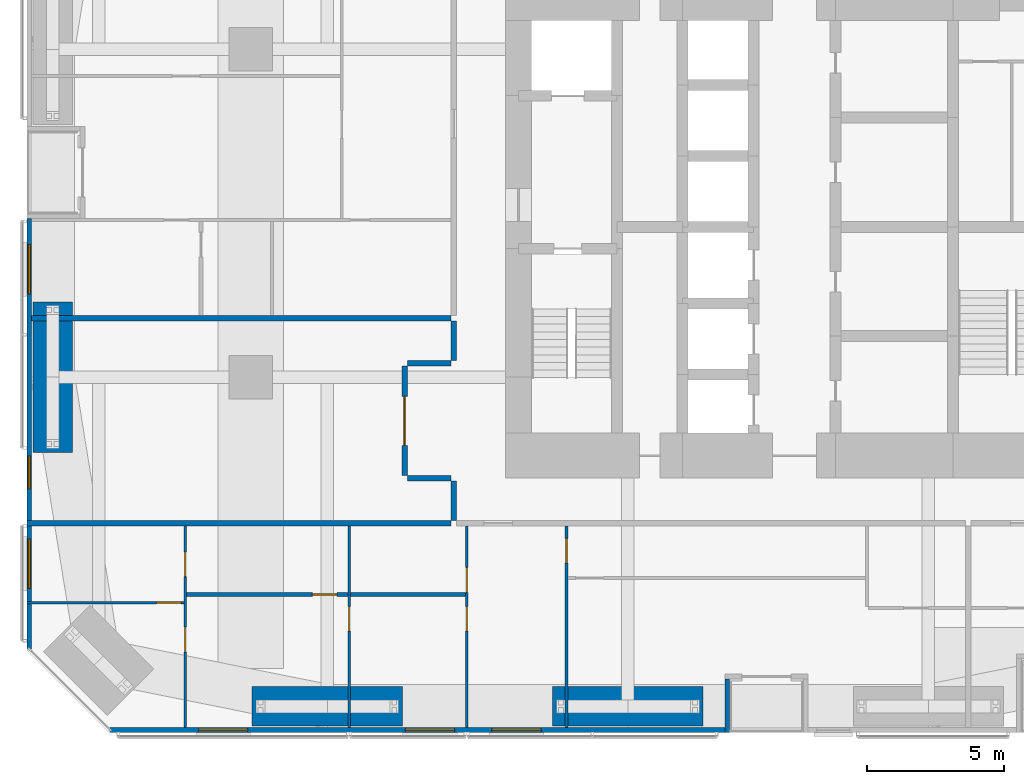
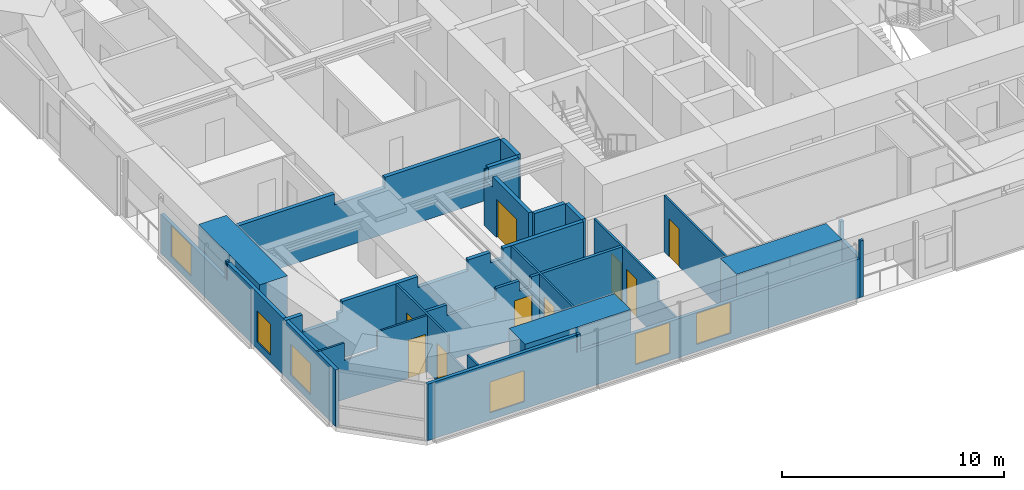
# One storey, part 17 of 24: 20 walls, 9 doors, 6 windows, 15 openings.
"""IFC4 building model written with IfcOpenShell, lengths in metres."""

from ifc_helpers import new_model, si_unit, direction, frame, frame_2d, origin, place, context, subcontext, project, spatial, polyline, rectangle, outline, extrude, material, layer, layer_set, constituent, constituent_set, type_object, element, fill, save


model = new_model("IFC4")

# Units and contexts
model_context = context("Model", 3, precision=1e-05, world=origin(), true_north=direction((0.0, 1.0)))
body_context = subcontext(model_context, "Body", "Model", "MODEL_VIEW")
ifc_project = project(units=[si_unit("LENGTHUNIT", "METRE"), si_unit("AREAUNIT", "SQUARE_METRE"), si_unit("VOLUMEUNIT", "CUBIC_METRE"), si_unit("PLANEANGLEUNIT", "RADIAN"), si_unit("MASSUNIT", "GRAM", prefix="KILO")], contexts=[model_context])

# Site, building, storey
site_placement = place(None, origin())
site = spatial("IfcSite", under=ifc_project, at=site_placement, CompositionType="ELEMENT")
building_placement = place(site_placement, origin())
building = spatial("IfcBuilding", under=site, at=building_placement, Name="Jalousie Tower", CompositionType="ELEMENT")
storey_placement = place(building_placement, frame((0.0, 0.0, 51.14990234375)))
storey = spatial("IfcBuildingStorey", under=building, at=storey_placement, Name="L13", CompositionType="ELEMENT", Elevation=51.14990234375)

# Wall, opening, door
ifc_material_1 = material(Name="Concrete block ASTM C90", Category="concrete")
ifc_constituent_1 = constituent(ifc_material_1, Name="Body")
ifc_material_2 = material(Name="Render")
ifc_constituent_2 = constituent(ifc_material_2, Name="Finish")
ifc_constituent_set_1 = constituent_set(constituents=[ifc_constituent_1, ifc_constituent_2])
wall_type_1 = type_object("IfcWallType", Name="BATHROOM WALL 150", PredefinedType="PLUMBINGWALL", material=ifc_constituent_set_1)
wall_1_placement = place(storey_placement, frame((7.85009765625, 5.050048828125, 0.0), z_axis=(0.0, 0.0, 1.0), x_axis=(1.0, 0.0, 0.0)))
wall_1 = element("IfcWall", 1, at=wall_1_placement, inside=storey, type_object=wall_type_1, Name="Bathroom Wall 150 L13", PredefinedType="PLUMBINGWALL", context=body_context, shape_type="SweptSolid", body=[
    extrude(outline(polyline([(0.0, 0.0), (5.89990234375, 0.0), (5.89990234375, 3.110107421875), (5.46240234375, 3.110107421875), (5.46240234375, 2.541015625), (4.837646484375, 2.541015625), (4.837646484375, 3.110107421875), (3.635009765625, 3.110107421875), (3.635009765625, 2.510009765625), (1.06494140625, 2.510009765625), (1.06494140625, 3.110107421875), (0.0, 3.110107421875), (0.0, 0.0)])), frame((0.0, 0.074951171875, 0.0), z_axis=(0.0, -1.0, 0.0), x_axis=(1.0, 0.0, 0.0)), (0.0, 0.0, 1.0), 0.14990234375),
])
opening_1_placement = place(wall_1_placement, frame((4.60009765625, 0.0, 0.0)))
opening_1 = element("IfcOpeningElement", 2, at=opening_1_placement, cuts=wall_1, Name="Opening D3", PredefinedType="OPENING", context=body_context, shape_type="SweptSolid", body=[
    extrude(rectangle(XDim=0.89990234375, YDim=2.10009765625, at=frame_2d((0.449951171875, 1.050048828125))), frame((0.0, 0.0849609375, 0.0), z_axis=(0.0, -1.0, 0.0), x_axis=(1.0, 0.0, 0.0)), (0.0, 0.0, 1.0), 0.169921875),
])
ifc_material_3 = material(Name="Timber door", Category="wood")
door_type_1 = type_object("IfcDoorType", Name="BATHROOM DOOR 900", OperationType="SINGLE_SWING_LEFT", PredefinedType="DOOR", material=ifc_material_3)
door_1_placement = place(opening_1_placement, origin())
door_1 = element("IfcDoor", 3, at=door_1_placement, inside=storey, type_object=door_type_1, Name="Apartment 1301 bedroom 2 bathroom door", OperationType="SINGLE_SWING_RIGHT", OverallHeight=2.10009765625, OverallWidth=0.89990234375, PredefinedType="DOOR", context=body_context, shape_type="SweptSolid", body=[
    extrude(rectangle(XDim=0.89990234375, YDim=2.10009765625, at=frame_2d((0.449951171875, 1.050048828125))), frame((0.0, 0.02490234375, 0.0), z_axis=(0.0, -1.0, 0.0), x_axis=(1.0, 0.0, 0.0)), (0.0, 0.0, 1.0), 0.050048828125),
])
fill(opening_1, door_1)

# Walls
wall_2_placement = place(storey_placement, frame((13.85009765625, 5.050048828125, 0.0), z_axis=(0.0, 0.0, 1.0), x_axis=(1.0, 0.0, 0.0)))
element("IfcWall", 4, at=wall_2_placement, inside=storey, type_object=wall_type_1, Name="Bathroom Wall 150 L13", PredefinedType="PLUMBINGWALL", context=body_context, shape_type="SweptSolid", body=[
    extrude(rectangle(XDim=4.199951171875, YDim=0.14990234375, at=frame_2d((2.10009765625, 0.0))), origin(), (0.0, 0.0, 1.0), 3.110107421875),
])
ifc_material_4 = material(Name="Concrete block ASTM C90", Category="concrete")
ifc_constituent_3 = constituent(ifc_material_4, Name="Body")
ifc_material_5 = material(Name="Render")
ifc_constituent_4 = constituent(ifc_material_5, Name="Finish")
ifc_constituent_set_2 = constituent_set(constituents=[ifc_constituent_3, ifc_constituent_4])
wall_type_2 = type_object("IfcWallType", Name="CORRIDOR WALL 200", PredefinedType="PARTITIONING", material=ifc_constituent_set_2)
for number, where, z_axis, x_axis, name in (
    (5, (17.625, 7.75, 0.0), (0.0, 0.0, 1.0), (0.0, 1.0, 0.0), "Corridor Wall 200 L13"),
    (6, (17.625, 13.60009765625, 0.0), (0.0, 0.0, 1.0), (0.0, 1.0, 0.0), "Corridor Wall 200 L13"),
):
    element("IfcWall", number, at=place(storey_placement, frame(where, z_axis=z_axis, x_axis=x_axis)), inside=storey, type_object=wall_type_2, Name=name, PredefinedType="PARTITIONING", context=body_context, shape_type="SweptSolid", body=[
        extrude(rectangle(XDim=1.449951171875, YDim=0.199951171875, at=frame_2d((0.72509765625, 0.0))), origin(), (0.0, 0.0, 1.0), 3.110107421875),
    ])

# Wall, opening, door
wall_3_placement = place(storey_placement, frame((15.824951171875, 9.39990234375, 0.0), z_axis=(0.0, 0.0, 1.0), x_axis=(0.0, 1.0, 0.0)))
wall_3 = element("IfcWall", 7, at=wall_3_placement, inside=storey, type_object=wall_type_2, Name="Corridor Wall 200 L13", PredefinedType="PARTITIONING", context=body_context, shape_type="SweptSolid", body=[
    extrude(outline(polyline([(0.0, 0.0), (4.0, 0.0), (4.0, 3.110107421875), (3.937255859375, 3.110107421875), (3.937255859375, 2.541015625), (3.2626953125, 2.541015625), (3.2626953125, 3.110107421875), (0.0, 3.110107421875), (0.0, 0.0)])), frame((0.0, 0.10009765625, 0.0), z_axis=(0.0, -1.0, 0.0), x_axis=(1.0, 0.0, 0.0)), (0.0, 0.0, 1.0), 0.199951171875),
])
opening_2_placement = place(wall_3_placement, frame((1.10009765625, 0.0, 0.0)))
opening_2 = element("IfcOpeningElement", 8, at=opening_2_placement, cuts=wall_3, Name="Opening D22", PredefinedType="OPENING", context=body_context, shape_type="SweptSolid", body=[
    extrude(rectangle(XDim=1.800048828125, YDim=2.10009765625, at=frame_2d((0.89990234375, 1.050048828125))), frame((0.0, 0.10986328125, 0.0), z_axis=(0.0, -1.0, 0.0), x_axis=(1.0, 0.0, 0.0)), (0.0, 0.0, 1.0), 0.219970703125),
])
ifc_material_6 = material(Name="Timber fire door", Category="wood")
door_type_2 = type_object("IfcDoorType", Name="CORRIDOR DOUBLE DOOR 1800", OperationType="DOUBLE_DOOR_SINGLE_SWING", PredefinedType="DOOR", material=ifc_material_6)
door_2_placement = place(opening_2_placement, origin())
door_2 = element("IfcDoor", 9, at=door_2_placement, inside=storey, type_object=door_type_2, Name="Residents' library door", OperationType="DOUBLE_DOOR_SINGLE_SWING", OverallHeight=2.10009765625, OverallWidth=1.800048828125, PredefinedType="DOOR", context=body_context, shape_type="SweptSolid", body=[
    extrude(rectangle(XDim=1.800048828125, YDim=2.10009765625, at=frame_2d((0.89990234375, 1.050048828125))), frame((0.0, 0.02490234375, 0.0), z_axis=(0.0, -1.0, 0.0), x_axis=(1.0, 0.0, 0.0)), (0.0, 0.0, 1.0), 0.050048828125),
])
fill(opening_2, door_2)

# Walls
for number, where, z_axis, x_axis, name in (
    (10, (17.52490234375, 9.300048828125, 0.0), (0.0, 0.0, 1.0), (-1.0, 0.0, 0.0), "Corridor Wall 200 L13"),
    (11, (17.52490234375, 13.5, 0.0), (0.0, 0.0, 1.0), (-1.0, 0.0, 0.0), "Corridor Wall 200 L13"),
):
    element("IfcWall", number, at=place(storey_placement, frame(where, z_axis=z_axis, x_axis=x_axis)), inside=storey, type_object=wall_type_2, Name=name, PredefinedType="PARTITIONING", context=body_context, shape_type="SweptSolid", body=[
        extrude(rectangle(XDim=1.599853515625, YDim=0.199951171875, at=frame_2d((0.7998046875, 0.0))), origin(), (0.0, 0.0, 1.0), 3.110107421875),
    ])

# Wall, openings, windows
ifc_material_7 = material(Name="Concrete f'c 40 MPa", Category="concrete")
ifc_constituent_5 = constituent(ifc_material_7, Name="Body")
ifc_material_8 = material(Name="Render, pastel coral")
ifc_constituent_6 = constituent(ifc_material_8, Name="Finish")
ifc_constituent_set_3 = constituent_set(constituents=[ifc_constituent_5, ifc_constituent_6])
wall_type_3 = type_object("IfcWallType", Name="EXTERNAL WALL 175 CORAL RENDER", PredefinedType="SOLIDWALL", material=ifc_constituent_set_3)
wall_4_placement = place(storey_placement, frame((5.05126953125, 0.08740234375, 0.0), z_axis=(0.0, 0.0, 1.0), x_axis=(1.0, 0.0, 0.0)))
wall_4 = element("IfcWall", 12, at=wall_4_placement, inside=storey, type_object=wall_type_3, Name="External Wall 175 Coral Render L13", PredefinedType="SOLIDWALL", context=body_context, shape_type="SweptSolid", body=[
    extrude(outline(polyline([(0.0, 0.0), (22.498779296875, 0.0), (22.498779296875, 2.150146484375), (7.94873046875, 2.150146484375), (7.94873046875, 3.110107421875), (7.79296875, 3.110107421875), (7.79296875, 2.150146484375), (7.74462890625, 2.150146484375), (7.74462890625, 3.110107421875), (0.0, 3.110107421875), (0.0, 0.0)])), frame((0.0, 0.08740234375, 0.0), z_axis=(0.0, -1.0, 0.0), x_axis=(1.0, 0.0, 0.0)), (0.0, 0.0, 1.0), 0.175048828125),
])
opening_3_placement = place(wall_4_placement, frame((3.233642578125, 0.0, 0.39990234375)))
opening_3 = element("IfcOpeningElement", 13, at=opening_3_placement, cuts=wall_4, Name="Opening W-BED170", PredefinedType="OPENING", context=body_context, shape_type="SweptSolid", body=[
    extrude(rectangle(XDim=1.800048828125, YDim=1.699951171875, at=frame_2d((0.89990234375, 0.85009765625))), frame((0.0, 0.097412109375, 0.0), z_axis=(0.0, -1.0, 0.0), x_axis=(1.0, 0.0, 0.0)), (0.0, 0.0, 1.0), 0.195068359375),
])
opening_4_placement = place(wall_4_placement, frame((10.80615234375, 0.0, 0.39990234375)))
opening_4 = element("IfcOpeningElement", 14, at=opening_4_placement, cuts=wall_4, Name="Opening W-BED170", PredefinedType="OPENING", context=body_context, shape_type="SweptSolid", body=[
    extrude(rectangle(XDim=1.800048828125, YDim=1.699951171875, at=frame_2d((0.89990234375, 0.85009765625))), frame((0.0, 0.097412109375, 0.0), z_axis=(0.0, -1.0, 0.0), x_axis=(1.0, 0.0, 0.0)), (0.0, 0.0, 1.0), 0.195068359375),
])
opening_5_placement = place(wall_4_placement, frame((13.9736328125, 0.0, 0.39990234375)))
opening_5 = element("IfcOpeningElement", 15, at=opening_5_placement, cuts=wall_4, Name="Opening W-BED170", PredefinedType="OPENING", context=body_context, shape_type="SweptSolid", body=[
    extrude(rectangle(XDim=1.800048828125, YDim=1.699951171875, at=frame_2d((0.89990234375, 0.85009765625))), frame((0.0, 0.097412109375, 0.0), z_axis=(0.0, -1.0, 0.0), x_axis=(1.0, 0.0, 0.0)), (0.0, 0.0, 1.0), 0.195068359375),
])
ifc_material_9 = material(Name="Aluminium frame, impact-rated glazing", Category="aluminium")
window_type_1 = type_object("IfcWindowType", Name="WINDOW BED 1800x1700", PartitioningType="SINGLE_PANEL", PredefinedType="WINDOW", material=ifc_material_9)
window_1_placement = place(opening_3_placement, origin())
window_1 = element("IfcWindow", 16, at=window_1_placement, inside=storey, type_object=window_type_1, Name="Apartment 1301 bedroom 2 window", OverallHeight=1.699951171875, OverallWidth=1.800048828125, PartitioningType="SINGLE_PANEL", PredefinedType="WINDOW", context=body_context, shape_type="SweptSolid", body=[
    extrude(rectangle(XDim=1.800048828125, YDim=1.699951171875, at=frame_2d((0.89990234375, 0.85009765625))), frame((0.0, 0.030029296875, 0.0), z_axis=(0.0, -1.0, 0.0), x_axis=(1.0, 0.0, 0.0)), (0.0, 0.0, 1.0), 0.06005859375),
])
fill(opening_3, window_1)
window_2_placement = place(opening_4_placement, origin())
window_2 = element("IfcWindow", 17, at=window_2_placement, inside=storey, type_object=window_type_1, Name="Apartment 1301 bedroom 3 window", OverallHeight=1.699951171875, OverallWidth=1.800048828125, PartitioningType="SINGLE_PANEL", PredefinedType="WINDOW", context=body_context, shape_type="SweptSolid", body=[
    extrude(rectangle(XDim=1.800048828125, YDim=1.699951171875, at=frame_2d((0.89990234375, 0.85009765625))), frame((0.0, 0.030029296875, 0.0), z_axis=(0.0, -1.0, 0.0), x_axis=(1.0, 0.0, 0.0)), (0.0, 0.0, 1.0), 0.06005859375),
])
fill(opening_4, window_2)
window_3_placement = place(opening_5_placement, origin())
window_3 = element("IfcWindow", 18, at=window_3_placement, inside=storey, type_object=window_type_1, Name="Apartment 1301 study window", OverallHeight=1.699951171875, OverallWidth=1.800048828125, PartitioningType="SINGLE_PANEL", PredefinedType="WINDOW", context=body_context, shape_type="SweptSolid", body=[
    extrude(rectangle(XDim=1.800048828125, YDim=1.699951171875, at=frame_2d((0.89990234375, 0.85009765625))), frame((0.0, 0.030029296875, 0.0), z_axis=(0.0, -1.0, 0.0), x_axis=(1.0, 0.0, 0.0)), (0.0, 0.0, 1.0), 0.06005859375),
])
fill(opening_5, window_3)

# Wall
wall_5_placement = place(storey_placement, frame((27.637451171875, 0.0, 0.0), z_axis=(0.0, 0.0, 1.0), x_axis=(0.0, 1.0, 0.0)))
element("IfcWall", 19, at=wall_5_placement, inside=storey, type_object=wall_type_3, Name="External Wall 175 Coral Render L13", PredefinedType="SOLIDWALL", context=body_context, shape_type="SweptSolid", body=[
    extrude(outline(polyline([(0.0, 0.0), (1.949951171875, 0.0), (1.949951171875, 3.110107421875), (1.75, 3.110107421875), (1.75, 2.150146484375), (0.14990234375, 2.150146484375), (0.14990234375, 3.110107421875), (0.0, 3.110107421875), (0.0, 0.0)])), frame((0.0, 0.08740234375, 0.0), z_axis=(0.0, -1.0, 0.0), x_axis=(1.0, 0.0, 0.0)), (0.0, 0.0, 1.0), 0.175048828125),
])

# Wall, openings, windows
wall_6_placement = place(storey_placement, frame((2.08740234375, 18.800048828125, 0.0), z_axis=(0.0, 0.0, 1.0), x_axis=(0.0, -1.0, 0.0)))
wall_6 = element("IfcWall", 20, at=wall_6_placement, inside=storey, type_object=wall_type_3, Name="External Wall 175 Coral Render L13", PredefinedType="SOLIDWALL", context=body_context, shape_type="SweptSolid", body=[
    extrude(outline(polyline([(0.0, 0.0), (15.748779296875, 0.0), (15.748779296875, 3.110107421875), (6.0185546875, 3.110107421875), (6.0185546875, 2.150146484375), (5.92578125, 2.150146484375), (5.92578125, 3.110107421875), (5.800048828125, 3.110107421875), (5.800048828125, 2.150146484375), (0.0, 2.150146484375), (0.0, 0.0)])), frame((0.0, 0.08740234375, 0.0), z_axis=(0.0, -1.0, 0.0), x_axis=(1.0, 0.0, 0.0)), (0.0, 0.0, 1.0), 0.175048828125),
])
opening_6_placement = place(wall_6_placement, frame((0.949951171875, 0.0, 0.39990234375)))
opening_6 = element("IfcOpeningElement", 21, at=opening_6_placement, cuts=wall_6, Name="Opening W-BED170", PredefinedType="OPENING", context=body_context, shape_type="SweptSolid", body=[
    extrude(rectangle(XDim=1.800048828125, YDim=1.699951171875, at=frame_2d((0.89990234375, 0.85009765625))), frame((0.0, 0.097412109375, 0.0), z_axis=(0.0, -1.0, 0.0), x_axis=(1.0, 0.0, 0.0)), (0.0, 0.0, 1.0), 0.195068359375),
])
opening_7_placement = place(wall_6_placement, frame((8.68994140625, 0.0, 0.39990234375)))
opening_7 = element("IfcOpeningElement", 22, at=opening_7_placement, cuts=wall_6, Name="Opening W-COR170", PredefinedType="OPENING", context=body_context, shape_type="SweptSolid", body=[
    extrude(rectangle(XDim=1.199951171875, YDim=1.699951171875, at=frame_2d((0.60009765625, 0.85009765625))), frame((0.0, 0.097412109375, 0.0), z_axis=(0.0, -1.0, 0.0), x_axis=(1.0, 0.0, 0.0)), (0.0, 0.0, 1.0), 0.195068359375),
])
opening_8_placement = place(wall_6_placement, frame((11.726806640625, 0.0, 0.39990234375)))
opening_8 = element("IfcOpeningElement", 23, at=opening_8_placement, cuts=wall_6, Name="Opening W-BED170", PredefinedType="OPENING", context=body_context, shape_type="SweptSolid", body=[
    extrude(rectangle(XDim=1.800048828125, YDim=1.699951171875, at=frame_2d((0.89990234375, 0.85009765625))), frame((0.0, 0.097412109375, 0.0), z_axis=(0.0, -1.0, 0.0), x_axis=(1.0, 0.0, 0.0)), (0.0, 0.0, 1.0), 0.195068359375),
])
window_4_placement = place(opening_6_placement, origin())
window_4 = element("IfcWindow", 24, at=window_4_placement, inside=storey, type_object=window_type_1, Name="Apartment 1306 bedroom 1 window", OverallHeight=1.699951171875, OverallWidth=1.800048828125, PartitioningType="SINGLE_PANEL", PredefinedType="WINDOW", context=body_context, shape_type="SweptSolid", body=[
    extrude(rectangle(XDim=1.800048828125, YDim=1.699951171875, at=frame_2d((0.89990234375, 0.85009765625))), frame((0.0, 0.030029296875, 0.0), z_axis=(0.0, -1.0, 0.0), x_axis=(1.0, 0.0, 0.0)), (0.0, 0.0, 1.0), 0.06005859375),
])
fill(opening_6, window_4)
window_5_placement = place(opening_8_placement, origin())
window_5 = element("IfcWindow", 25, at=window_5_placement, inside=storey, type_object=window_type_1, Name="Apartment 1301 bedroom 1 window", OverallHeight=1.699951171875, OverallWidth=1.800048828125, PartitioningType="SINGLE_PANEL", PredefinedType="WINDOW", context=body_context, shape_type="SweptSolid", body=[
    extrude(rectangle(XDim=1.800048828125, YDim=1.699951171875, at=frame_2d((0.89990234375, 0.85009765625))), frame((0.0, 0.030029296875, 0.0), z_axis=(0.0, -1.0, 0.0), x_axis=(1.0, 0.0, 0.0)), (0.0, 0.0, 1.0), 0.06005859375),
])
fill(opening_8, window_5)
ifc_material_10 = material(Name="Aluminium frame, impact-rated glazing", Category="aluminium")
window_type_2 = type_object("IfcWindowType", Name="WINDOW COR 1200x1700", PartitioningType="SINGLE_PANEL", PredefinedType="WINDOW", material=ifc_material_10)
window_6_placement = place(opening_7_placement, origin())
window_6 = element("IfcWindow", 26, at=window_6_placement, inside=storey, type_object=window_type_2, Name="Residents' library window", OverallHeight=1.699951171875, OverallWidth=1.199951171875, PartitioningType="SINGLE_PANEL", PredefinedType="WINDOW", context=body_context, shape_type="SweptSolid", body=[
    extrude(rectangle(XDim=1.199951171875, YDim=1.699951171875, at=frame_2d((0.60009765625, 0.85009765625))), frame((0.0, 0.030029296875, 0.0), z_axis=(0.0, -1.0, 0.0), x_axis=(1.0, 0.0, 0.0)), (0.0, 0.0, 1.0), 0.06005859375),
])
fill(opening_7, window_6)

# Wall, openings, doors
ifc_material_11 = material(Name="Gypsum board", Category="gypsum")
ifc_constituent_7 = constituent(ifc_material_11, Name="Body")
ifc_material_12 = material(Name="Light-gauge steel studs ASTM A653 SS Grade 33", Category="steel")
ifc_constituent_8 = constituent(ifc_material_12, Name="Framing")
ifc_constituent_set_4 = constituent_set(constituents=[ifc_constituent_7, ifc_constituent_8])
wall_type_4 = type_object("IfcWallType", Name="PARTITION 100", PredefinedType="PARTITIONING", material=ifc_constituent_set_4)
wall_7_placement = place(storey_placement, frame((7.800048828125, 0.175048828125, 0.0), z_axis=(0.0, 0.0, 1.0), x_axis=(0.0, 1.0, 0.0)))
wall_7 = element("IfcWall", 27, at=wall_7_placement, inside=storey, type_object=wall_type_4, Name="Partition 100 L13", PredefinedType="PARTITIONING", context=body_context, shape_type="SweptSolid", body=[
    extrude(outline(polyline([(0.0, 0.0), (7.375, 0.0), (7.375, 3.110107421875), (2.697021484375, 3.110107421875), (2.697021484375, 2.150146484375), (0.942626953125, 2.150146484375), (0.942626953125, 3.110107421875), (0.0, 3.110107421875), (0.0, 0.0)])), frame((0.0, 0.050048828125, 0.0), z_axis=(0.0, -1.0, 0.0), x_axis=(1.0, 0.0, 0.0)), (0.0, 0.0, 1.0), 0.10009765625),
])
opening_9_placement = place(wall_7_placement, frame((2.771728515625, 0.0, 0.0)))
opening_9 = element("IfcOpeningElement", 28, at=opening_9_placement, cuts=wall_7, Name="Opening D2", PredefinedType="OPENING", context=body_context, shape_type="SweptSolid", body=[
    extrude(rectangle(XDim=0.89990234375, YDim=2.10009765625, at=frame_2d((0.449951171875, 1.050048828125))), frame((0.0, 0.06005859375, 0.0), z_axis=(0.0, -1.0, 0.0), x_axis=(1.0, 0.0, 0.0)), (0.0, 0.0, 1.0), 0.1201171875),
])
opening_10_placement = place(wall_7_placement, frame((5.523193359375, 0.0, 0.0)))
opening_10 = element("IfcOpeningElement", 29, at=opening_10_placement, cuts=wall_7, Name="Opening D3", PredefinedType="OPENING", context=body_context, shape_type="SweptSolid", body=[
    extrude(rectangle(XDim=0.89990234375, YDim=2.10009765625, at=frame_2d((0.449951171875, 1.050048828125))), frame((0.0, 0.06005859375, 0.0), z_axis=(0.0, -1.0, 0.0), x_axis=(1.0, 0.0, 0.0)), (0.0, 0.0, 1.0), 0.1201171875),
])
door_3_placement = place(opening_10_placement, frame((0.89990234375, 0.0, 0.0), z_axis=(0.0, 0.0, 1.0), x_axis=(-1.0, 0.0, 0.0)))
door_3 = element("IfcDoor", 30, at=door_3_placement, inside=storey, type_object=door_type_1, Name="Apartment 1301 bedroom 1 bathroom door", OperationType="SINGLE_SWING_RIGHT", OverallHeight=2.10009765625, OverallWidth=0.89990234375, PredefinedType="DOOR", context=body_context, shape_type="SweptSolid", body=[
    extrude(rectangle(XDim=0.89990234375, YDim=2.10009765625, at=frame_2d((0.449951171875, 1.050048828125))), frame((0.0, 0.02490234375, 0.0), z_axis=(0.0, -1.0, 0.0), x_axis=(1.0, 0.0, 0.0)), (0.0, 0.0, 1.0), 0.050048828125),
])
fill(opening_10, door_3)
ifc_material_13 = material(Name="Timber door", Category="wood")
door_type_3 = type_object("IfcDoorType", Name="BEDROOM DOOR 900", OperationType="SINGLE_SWING_LEFT", PredefinedType="DOOR", material=ifc_material_13)
door_4_placement = place(opening_9_placement, frame((0.89990234375, 0.0, 0.0), z_axis=(0.0, 0.0, 1.0), x_axis=(-1.0, 0.0, 0.0)))
door_4 = element("IfcDoor", 31, at=door_4_placement, inside=storey, type_object=door_type_3, Name="Apartment 1301 bedroom 1 door", OperationType="SINGLE_SWING_LEFT", OverallHeight=2.10009765625, OverallWidth=0.89990234375, PredefinedType="DOOR", context=body_context, shape_type="SweptSolid", body=[
    extrude(rectangle(XDim=0.89990234375, YDim=2.10009765625, at=frame_2d((0.449951171875, 1.050048828125))), frame((0.0, 0.02490234375, 0.0), z_axis=(0.0, -1.0, 0.0), x_axis=(1.0, 0.0, 0.0)), (0.0, 0.0, 1.0), 0.050048828125),
])
fill(opening_9, door_4)

# Wall, opening, door
wall_8_placement = place(storey_placement, frame((13.800048828125, 0.175048828125, 0.0), z_axis=(0.0, 0.0, 1.0), x_axis=(0.0, 1.0, 0.0)))
wall_8 = element("IfcWall", 32, at=wall_8_placement, inside=storey, type_object=wall_type_4, Name="Partition 100 L13", PredefinedType="PARTITIONING", context=body_context, shape_type="SweptSolid", body=[
    extrude(outline(polyline([(1.635009765625, 2.150146484375), (0.0, 2.150146484375), (0.0, 0.0), (7.375, 0.0), (7.375, 3.110107421875), (1.635009765625, 3.110107421875), (1.635009765625, 2.150146484375)]), holes=[polyline([(1.021240234375, 0.13330078125), (0.52880859375, 0.13330078125), (0.52880859375, 0.923095703125), (1.021240234375, 0.923095703125), (1.021240234375, 0.13330078125)]), polyline([(1.021240234375, 1.22705078125), (0.52880859375, 1.22705078125), (0.52880859375, 2.01708984375), (1.021240234375, 2.01708984375), (1.021240234375, 1.22705078125)])]), frame((0.0, 0.050048828125, 0.0), z_axis=(0.0, -1.0, 0.0), x_axis=(1.0, 0.0, 0.0)), (0.0, 0.0, 1.0), 0.10009765625),
])
opening_11_placement = place(wall_8_placement, frame((3.52490234375, 0.0, 0.0)))
opening_11 = element("IfcOpeningElement", 33, at=opening_11_placement, cuts=wall_8, Name="Opening D2", PredefinedType="OPENING", context=body_context, shape_type="SweptSolid", body=[
    extrude(rectangle(XDim=0.89990234375, YDim=2.10009765625, at=frame_2d((0.449951171875, 1.050048828125))), frame((0.0, 0.06005859375, 0.0), z_axis=(0.0, -1.0, 0.0), x_axis=(1.0, 0.0, 0.0)), (0.0, 0.0, 1.0), 0.1201171875),
])
door_5_placement = place(opening_11_placement, origin())
door_5 = element("IfcDoor", 34, at=door_5_placement, inside=storey, type_object=door_type_3, Name="Apartment 1301 bedroom 2 door", OperationType="SINGLE_SWING_RIGHT", OverallHeight=2.10009765625, OverallWidth=0.89990234375, PredefinedType="DOOR", context=body_context, shape_type="SweptSolid", body=[
    extrude(rectangle(XDim=0.89990234375, YDim=2.10009765625, at=frame_2d((0.449951171875, 1.050048828125))), frame((0.0, 0.02490234375, 0.0), z_axis=(0.0, -1.0, 0.0), x_axis=(1.0, 0.0, 0.0)), (0.0, 0.0, 1.0), 0.050048828125),
])
fill(opening_11, door_5)

# Wall, openings, doors
wall_9_placement = place(storey_placement, frame((18.10009765625, 0.175048828125, 0.0), z_axis=(0.0, 0.0, 1.0), x_axis=(0.0, 1.0, 0.0)))
wall_9 = element("IfcWall", 35, at=wall_9_placement, inside=storey, type_object=wall_type_4, Name="Partition 100 L13", PredefinedType="PARTITIONING", context=body_context, shape_type="SweptSolid", body=[
    extrude(outline(polyline([(0.0, 0.0), (7.375, 0.0), (7.375, 3.110107421875), (1.635009765625, 3.110107421875), (1.635009765625, 2.150146484375), (0.0, 2.150146484375), (0.0, 3.110107421875), (0.0, 0.0)])), frame((0.0, 0.050048828125, 0.0), z_axis=(0.0, -1.0, 0.0), x_axis=(1.0, 0.0, 0.0)), (0.0, 0.0, 1.0), 0.10009765625),
])
opening_12_placement = place(wall_9_placement, frame((3.52490234375, 0.0, 0.0)))
opening_12 = element("IfcOpeningElement", 36, at=opening_12_placement, cuts=wall_9, Name="Opening D2", PredefinedType="OPENING", context=body_context, shape_type="SweptSolid", body=[
    extrude(rectangle(XDim=0.89990234375, YDim=2.10009765625, at=frame_2d((0.449951171875, 1.050048828125))), frame((0.0, 0.06005859375, 0.0), z_axis=(0.0, -1.0, 0.0), x_axis=(1.0, 0.0, 0.0)), (0.0, 0.0, 1.0), 0.1201171875),
])
opening_13_placement = place(wall_9_placement, frame((4.949951171875, 0.0, 0.0)))
opening_13 = element("IfcOpeningElement", 37, at=opening_13_placement, cuts=wall_9, Name="Opening D7", PredefinedType="OPENING", context=body_context, shape_type="SweptSolid", body=[
    extrude(rectangle(XDim=0.89990234375, YDim=2.10009765625, at=frame_2d((0.449951171875, 1.050048828125))), frame((0.0, 0.06005859375, 0.0), z_axis=(0.0, -1.0, 0.0), x_axis=(1.0, 0.0, 0.0)), (0.0, 0.0, 1.0), 0.1201171875),
])
door_6_placement = place(opening_12_placement, origin())
door_6 = element("IfcDoor", 38, at=door_6_placement, inside=storey, type_object=door_type_3, Name="Apartment 1301 bedroom 3 door", OperationType="SINGLE_SWING_RIGHT", OverallHeight=2.10009765625, OverallWidth=0.89990234375, PredefinedType="DOOR", context=body_context, shape_type="SweptSolid", body=[
    extrude(rectangle(XDim=0.89990234375, YDim=2.10009765625, at=frame_2d((0.449951171875, 1.050048828125))), frame((0.0, 0.02490234375, 0.0), z_axis=(0.0, -1.0, 0.0), x_axis=(1.0, 0.0, 0.0)), (0.0, 0.0, 1.0), 0.050048828125),
])
fill(opening_12, door_6)
ifc_material_14 = material(Name="Timber door", Category="wood")
door_type_4 = type_object("IfcDoorType", Name="INTERNAL DOOR 900", OperationType="SINGLE_SWING_LEFT", PredefinedType="DOOR", material=ifc_material_14)
door_7_placement = place(opening_13_placement, origin())
door_7 = element("IfcDoor", 39, at=door_7_placement, inside=storey, type_object=door_type_4, Name="Apartment 1301 bathroom door", OperationType="SINGLE_SWING_LEFT", OverallHeight=2.10009765625, OverallWidth=0.89990234375, PredefinedType="DOOR", context=body_context, shape_type="SweptSolid", body=[
    extrude(rectangle(XDim=0.89990234375, YDim=2.10009765625, at=frame_2d((0.449951171875, 1.050048828125))), frame((0.0, 0.02490234375, 0.0), z_axis=(0.0, -1.0, 0.0), x_axis=(1.0, 0.0, 0.0)), (0.0, 0.0, 1.0), 0.050048828125),
])
fill(opening_13, door_7)

# Wall, opening, door
wall_10_placement = place(storey_placement, frame((2.0, 4.74658203125, 0.0), z_axis=(0.0, 0.0, 1.0), x_axis=(1.0, 0.0, 0.0)))
wall_10 = element("IfcWall", 40, at=wall_10_placement, inside=storey, type_object=wall_type_4, Name="Partition 100 L13", PredefinedType="PARTITIONING", context=body_context, shape_type="SweptSolid", body=[
    extrude(outline(polyline([(0.0, 0.0), (5.75, 0.0), (5.75, 3.110107421875), (3.15966796875, 3.110107421875), (3.15966796875, 2.150146484375), (1.4169921875, 2.150146484375), (1.4169921875, 3.110107421875), (0.0, 3.110107421875), (0.0, 0.0)])), frame((0.0, 0.050048828125, 0.0), z_axis=(0.0, -1.0, 0.0), x_axis=(1.0, 0.0, 0.0)), (0.0, 0.0, 1.0), 0.10009765625),
])
opening_14_placement = place(wall_10_placement, frame((4.75, 0.0, 0.0)))
opening_14 = element("IfcOpeningElement", 41, at=opening_14_placement, cuts=wall_10, Name="Opening D7", PredefinedType="OPENING", context=body_context, shape_type="SweptSolid", body=[
    extrude(rectangle(XDim=0.89990234375, YDim=2.10009765625, at=frame_2d((0.449951171875, 1.050048828125))), frame((0.0, 0.06005859375, 0.0), z_axis=(0.0, -1.0, 0.0), x_axis=(1.0, 0.0, 0.0)), (0.0, 0.0, 1.0), 0.1201171875),
])
door_8_placement = place(opening_14_placement, origin())
door_8 = element("IfcDoor", 42, at=door_8_placement, inside=storey, type_object=door_type_4, Name="Apartment 1301 bedroom 1 dressing hall door", OperationType="SINGLE_SWING_RIGHT", OverallHeight=2.10009765625, OverallWidth=0.89990234375, PredefinedType="DOOR", context=body_context, shape_type="SweptSolid", body=[
    extrude(rectangle(XDim=0.89990234375, YDim=2.10009765625, at=frame_2d((0.449951171875, 1.050048828125))), frame((0.0, 0.02490234375, 0.0), z_axis=(0.0, -1.0, 0.0), x_axis=(1.0, 0.0, 0.0)), (0.0, 0.0, 1.0), 0.050048828125),
])
fill(opening_14, door_8)

wall_11_placement = place(storey_placement, frame((21.75, 0.175048828125, 0.0), z_axis=(0.0, 0.0, 1.0), x_axis=(0.0, 1.0, 0.0)))
wall_11 = element("IfcWall", 43, at=wall_11_placement, inside=storey, type_object=wall_type_4, Name="Partition 100 L13", PredefinedType="PARTITIONING", context=body_context, shape_type="SweptSolid", body=[
    extrude(outline(polyline([(0.0, 0.0), (7.375, 0.0), (7.375, 3.110107421875), (1.635009765625, 3.110107421875), (1.635009765625, 2.150146484375), (0.0, 2.150146484375), (0.0, 3.110107421875), (0.0, 0.0)])), frame((0.0, 0.050048828125, 0.0), z_axis=(0.0, -1.0, 0.0), x_axis=(1.0, 0.0, 0.0)), (0.0, 0.0, 1.0), 0.10009765625),
])
opening_15_placement = place(wall_11_placement, frame((6.02490234375, 0.0, 0.0)))
opening_15 = element("IfcOpeningElement", 44, at=opening_15_placement, cuts=wall_11, Name="Opening D2", PredefinedType="OPENING", context=body_context, shape_type="SweptSolid", body=[
    extrude(rectangle(XDim=0.89990234375, YDim=2.10009765625, at=frame_2d((0.449951171875, 1.050048828125))), frame((0.0, 0.06005859375, 0.0), z_axis=(0.0, -1.0, 0.0), x_axis=(1.0, 0.0, 0.0)), (0.0, 0.0, 1.0), 0.1201171875),
])
door_9_placement = place(opening_15_placement, origin())
door_9 = element("IfcDoor", 45, at=door_9_placement, inside=storey, type_object=door_type_3, Name="Apartment 1301 study door", OperationType="SINGLE_SWING_RIGHT", OverallHeight=2.10009765625, OverallWidth=0.89990234375, PredefinedType="DOOR", context=body_context, shape_type="SweptSolid", body=[
    extrude(rectangle(XDim=0.89990234375, YDim=2.10009765625, at=frame_2d((0.449951171875, 1.050048828125))), frame((0.0, 0.02490234375, 0.0), z_axis=(0.0, -1.0, 0.0), x_axis=(1.0, 0.0, 0.0)), (0.0, 0.0, 1.0), 0.050048828125),
])
fill(opening_15, door_9)

# Walls
ifc_material_15 = material(Name="Concrete block ASTM C90", Category="concrete")
ifc_constituent_9 = constituent(ifc_material_15, Name="Body")
ifc_material_16 = material(Name="Render")
ifc_constituent_10 = constituent(ifc_material_16, Name="Finish")
ifc_constituent_set_5 = constituent_set(constituents=[ifc_constituent_9, ifc_constituent_10])
wall_type_5 = type_object("IfcWallType", Name="PARTY WALL 200", PredefinedType="PARTITIONING", material=ifc_constituent_set_5)
wall_12_placement = place(storey_placement, frame((2.0, 7.64990234375, 0.0), z_axis=(0.0, 0.0, 1.0), x_axis=(1.0, 0.0, 0.0)))
element("IfcWall", 46, at=wall_12_placement, inside=storey, type_object=wall_type_5, Name="Party Wall 200 L13", PredefinedType="PARTITIONING", context=body_context, shape_type="SweptSolid", body=[
    extrude(outline(polyline([(0.0, 0.0), (15.52490234375, 0.0), (15.52490234375, 3.110107421875), (11.33740234375, 3.110107421875), (11.33740234375, 2.541015625), (10.66259765625, 2.541015625), (10.66259765625, 3.110107421875), (9.510009765625, 3.110107421875), (9.510009765625, 2.510009765625), (6.889892578125, 2.510009765625), (6.889892578125, 3.110107421875), (2.96875, 3.110107421875), (2.96875, 2.541015625), (2.739501953125, 2.541015625), (2.739501953125, 2.150146484375), (0.895751953125, 2.150146484375), (0.895751953125, 3.110107421875), (0.0, 3.110107421875), (0.0, 0.0)])), frame((0.0, 0.10009765625, 0.0), z_axis=(0.0, -1.0, 0.0), x_axis=(1.0, 0.0, 0.0)), (0.0, 0.0, 1.0), 0.199951171875),
])
wall_13_placement = place(storey_placement, frame((2.175048828125, 15.14990234375, 0.0), z_axis=(0.0, 0.0, 1.0), x_axis=(1.0, 0.0, 0.0)))
element("IfcWall", 47, at=wall_13_placement, inside=storey, type_object=wall_type_5, Name="Party Wall 200 L13", PredefinedType="PARTITIONING", context=body_context, shape_type="SweptSolid", body=[
    extrude(outline(polyline([(0.52880859375, 2.150146484375), (0.0, 2.150146484375), (0.0, 0.0), (0.52880859375, 0.0), (0.52880859375, 0.0341796875), (1.021240234375, 0.0341796875), (1.021240234375, 0.0), (15.35009765625, 0.0), (15.35009765625, 3.110107421875), (9.3349609375, 3.110107421875), (9.3349609375, 2.510009765625), (6.715087890625, 2.510009765625), (6.715087890625, 3.110107421875), (1.68505859375, 3.110107421875), (1.68505859375, 2.150146484375), (1.021240234375, 2.150146484375), (1.021240234375, 2.115966796875), (0.52880859375, 2.115966796875), (0.52880859375, 2.150146484375)])), frame((0.0, 0.10009765625, 0.0), z_axis=(0.0, -1.0, 0.0), x_axis=(1.0, 0.0, 0.0)), (0.0, 0.0, 1.0), 0.199951171875),
])
ifc_material_17 = material(Name="Concrete f'c 120 MPa", Category="concrete")
ifc_layer = layer(ifc_material_17, 1.449951171875)
ifc_layer_set = layer_set([ifc_layer], Name="Concrete f'c 120 MPa")
wall_type_6 = type_object("IfcWallType", Name="RC WALL PIER 1450", PredefinedType="SHEAR", material=ifc_layer_set)
for number, where, z_axis, x_axis, name in (
    (48, (10.25, 0.949951171875, 0.0), (0.0, 0.0, 1.0), (1.0, 0.0, 0.0), "Wall pier 02 L13"),
    (49, (21.25, 0.949951171875, 0.0), (0.0, 0.0, 1.0), (1.0, 0.0, 0.0), "Wall pier 03 L13"),
    (50, (2.949951171875, 10.25, 0.0), (0.0, 0.0, 1.0), (0.0, 1.0, 0.0), "Wall pier 14 L13"),
):
    element("IfcWall", number, at=place(storey_placement, frame(where, z_axis=z_axis, x_axis=x_axis)), inside=storey, type_object=wall_type_6, Name=name, PredefinedType="SHEAR", context=body_context, shape_type="SweptSolid", body=[
        extrude(rectangle(XDim=5.5, YDim=1.449951171875, at=frame_2d((2.75, 0.0))), origin(), (0.0, 0.0, 1.0), 3.35009765625),
    ])

save(model, "model.ifc")
